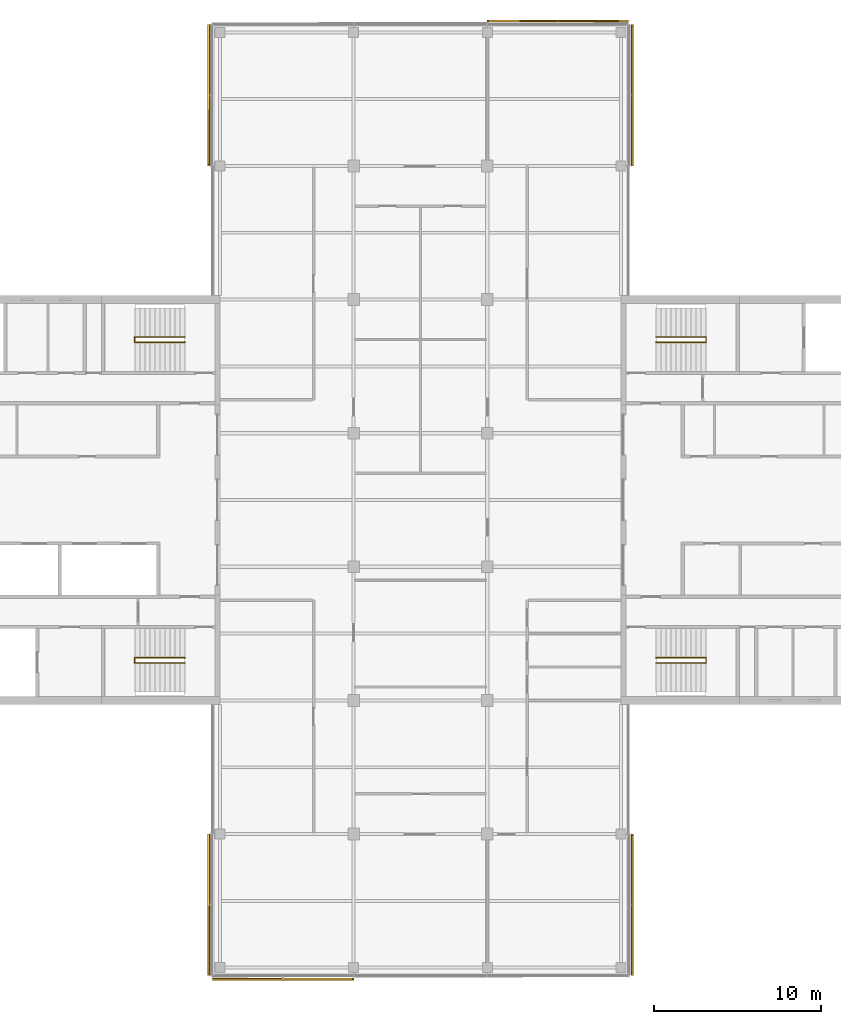
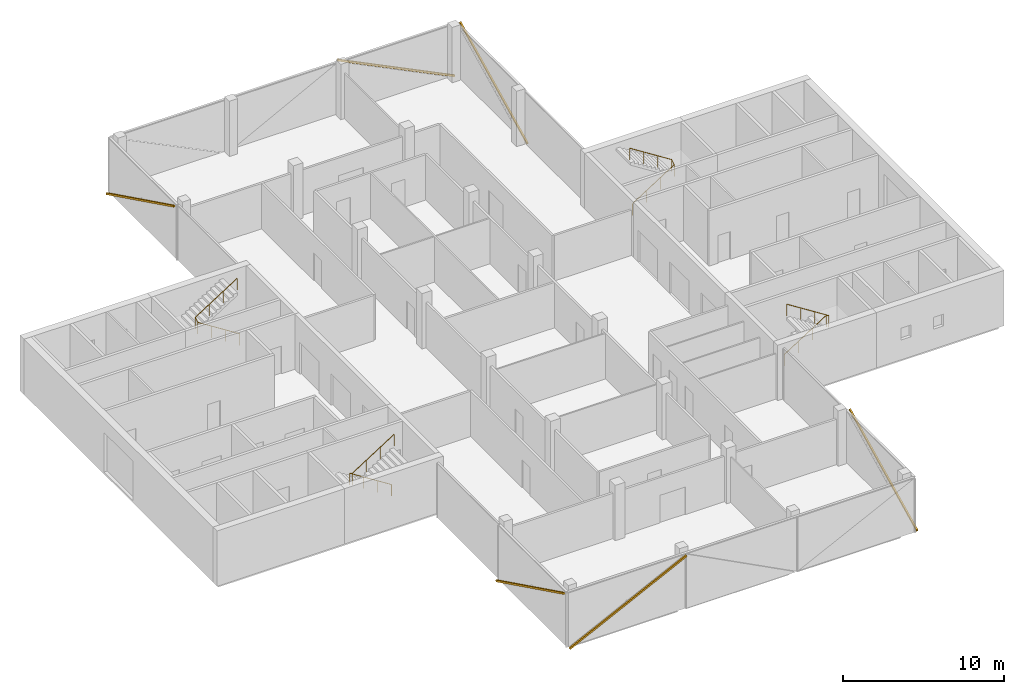
# One storey, part 15 of 15: 6 shading devices, 4 railings, 6 elements without a shape of their own.
"""IFC4 building model written with IfcOpenShell, lengths in metres."""

from ifc_helpers import new_model, si_unit, direction, frame, origin, origin_2d, place, context, subcontext, project, spatial, rectangle, circle, extrude, material, material_profile, profile_set, type_object, element, aggregate, save


model = new_model("IFC4")

# Units and contexts
model_context = context("Model", 3, precision=1e-05, world=origin(), true_north=direction((0.0, 1.0)))
body_context = subcontext(model_context, "Body", "Model", "MODEL_VIEW")
ifc_project = project(units=[si_unit("LENGTHUNIT", "METRE"), si_unit("AREAUNIT", "SQUARE_METRE"), si_unit("VOLUMEUNIT", "CUBIC_METRE"), si_unit("PLANEANGLEUNIT", "RADIAN"), si_unit("MASSUNIT", "GRAM", prefix="KILO")], contexts=[model_context])

# Site, building, storey
site_placement = place(None, origin())
site = spatial("IfcSite", under=ifc_project, at=site_placement, CompositionType="ELEMENT")
building_placement = place(site_placement, origin())
building = spatial("IfcBuilding", under=site, at=building_placement, Name="Crosswind Convention Tower", CompositionType="ELEMENT")
storey_placement = place(building_placement, frame((0.0, 0.0, 257.699951171875)))
storey = spatial("IfcBuildingStorey", under=building, at=storey_placement, Name="L55", CompositionType="ELEMENT", Elevation=257.699951171875)

# Railings
ifc_material_1 = material(Name="Stainless steel", Category="steel")
railing_type = type_object("IfcRailingType", Name="Stair handrail 900", PredefinedType="HANDRAIL", material=ifc_material_1)
railing_1_placement = place(storey_placement, frame((139.10009765625, 109.43994140625, 0.19091796875)))
element("IfcRailing", 1, at=railing_1_placement, inside=storey, type_object=railing_type, Name="Stair ST1 handrail L55", PredefinedType="HANDRAIL", context=body_context, shape_type="SweptSolid", body=[
    extrude(circle(Radius=0.02392578125, at=origin_2d()), frame((0.0, 0.0, 0.8759765625), z_axis=(0.843650179428, 0.0, 0.536893261973), x_axis=(0.0, 1.0, 0.0)), (0.0, 0.0, 1.0), 3.555908203125),
    extrude(circle(Radius=0.02392578125, at=origin_2d()), frame((3.0, 0.0, 2.78515625), z_axis=(0.0, 0.858819504967, 0.512278301208), x_axis=(-1.0, 0.0, 0.0)), (0.0, 0.0, 1.0), 0.372802734375),
    extrude(circle(Radius=0.02392578125, at=origin_2d()), frame((3.0, 0.320068359375, 2.97607421875), z_axis=(-0.843681277094, 0.0, 0.536844393359), x_axis=(0.0, -1.0, 0.0)), (0.0, 0.0, 1.0), 3.555908203125),
    extrude(circle(Radius=0.02099609375, at=origin_2d()), origin(), (0.0, 0.0, 1.0), 0.851806640625),
    extrude(circle(Radius=0.02099609375, at=origin_2d()), frame((1.0, 0.0, 0.636474609375)), (0.0, 0.0, 1.0), 0.851806640625),
    extrude(circle(Radius=0.02099609375, at=origin_2d()), frame((2.0, 0.0, 1.272705078125)), (0.0, 0.0, 1.0), 0.851806640625),
    extrude(circle(Radius=0.02099609375, at=origin_2d()), frame((3.0, 0.0, 1.9091796875)), (0.0, 0.0, 1.0), 0.851806640625),
    extrude(circle(Radius=0.02099609375, at=origin_2d()), frame((3.0, 0.320068359375, 2.10009765625)), (0.0, 0.0, 1.0), 0.851806640625),
    extrude(circle(Radius=0.02099609375, at=origin_2d()), frame((2.0, 0.320068359375, 2.736328125)), (0.0, 0.0, 1.0), 0.851806640625),
    extrude(circle(Radius=0.02099609375, at=origin_2d()), frame((1.0, 0.320068359375, 3.372802734375)), (0.0, 0.0, 1.0), 0.851806640625),
    extrude(circle(Radius=0.02099609375, at=origin_2d()), frame((0.0, 0.320068359375, 4.009033203125)), (0.0, 0.0, 1.0), 0.851806640625),
])
railing_2_placement = place(storey_placement, frame((139.10009765625, 90.56005859375, 0.19091796875)))
element("IfcRailing", 2, at=railing_2_placement, inside=storey, type_object=railing_type, Name="Stair ST2 handrail L55", PredefinedType="HANDRAIL", context=body_context, shape_type="SweptSolid", body=[
    extrude(circle(Radius=0.02392578125, at=origin_2d()), frame((0.0, 0.0, 0.8759765625), z_axis=(0.843650179428, 0.0, 0.536893261973), x_axis=(0.0, 1.0, 0.0)), (0.0, 0.0, 1.0), 3.555908203125),
    extrude(circle(Radius=0.02392578125, at=origin_2d()), frame((3.0, 0.0, 2.78515625), z_axis=(0.0, -0.858819504967, 0.512278301208), x_axis=(1.0, 0.0, 0.0)), (0.0, 0.0, 1.0), 0.372802734375),
    extrude(circle(Radius=0.02392578125, at=origin_2d()), frame((3.0, -0.320068359375, 2.97607421875), z_axis=(-0.843681277094, 0.0, 0.536844393359), x_axis=(0.0, -1.0, 0.0)), (0.0, 0.0, 1.0), 3.555908203125),
    extrude(circle(Radius=0.02099609375, at=origin_2d()), origin(), (0.0, 0.0, 1.0), 0.851806640625),
    extrude(circle(Radius=0.02099609375, at=origin_2d()), frame((1.0, 0.0, 0.636474609375)), (0.0, 0.0, 1.0), 0.851806640625),
    extrude(circle(Radius=0.02099609375, at=origin_2d()), frame((2.0, 0.0, 1.272705078125)), (0.0, 0.0, 1.0), 0.851806640625),
    extrude(circle(Radius=0.02099609375, at=origin_2d()), frame((3.0, 0.0, 1.9091796875)), (0.0, 0.0, 1.0), 0.851806640625),
    extrude(circle(Radius=0.02099609375, at=origin_2d()), frame((3.0, -0.320068359375, 2.10009765625)), (0.0, 0.0, 1.0), 0.851806640625),
    extrude(circle(Radius=0.02099609375, at=origin_2d()), frame((2.0, -0.320068359375, 2.736328125)), (0.0, 0.0, 1.0), 0.851806640625),
    extrude(circle(Radius=0.02099609375, at=origin_2d()), frame((1.0, -0.320068359375, 3.372802734375)), (0.0, 0.0, 1.0), 0.851806640625),
    extrude(circle(Radius=0.02099609375, at=origin_2d()), frame((0.0, -0.320068359375, 4.009033203125)), (0.0, 0.0, 1.0), 0.851806640625),
])
railing_3_placement = place(storey_placement, frame((110.89990234375, 90.56005859375, 0.19091796875)))
element("IfcRailing", 3, at=railing_3_placement, inside=storey, type_object=railing_type, Name="Stair ST3 handrail L55", PredefinedType="HANDRAIL", context=body_context, shape_type="SweptSolid", body=[
    extrude(circle(Radius=0.02392578125, at=origin_2d()), frame((0.0, 0.0, 0.8759765625), z_axis=(-0.843650179428, 0.0, 0.536893261973), x_axis=(0.0, -1.0, 0.0)), (0.0, 0.0, 1.0), 3.555908203125),
    extrude(circle(Radius=0.02392578125, at=origin_2d()), frame((-3.0, 0.0, 2.78515625), z_axis=(0.0, -0.858819504967, 0.512278301208), x_axis=(1.0, 0.0, 0.0)), (0.0, 0.0, 1.0), 0.372802734375),
    extrude(circle(Radius=0.02392578125, at=origin_2d()), frame((-3.0, -0.320068359375, 2.97607421875), z_axis=(0.843681277094, 0.0, 0.536844393359), x_axis=(0.0, 1.0, 0.0)), (0.0, 0.0, 1.0), 3.555908203125),
    extrude(circle(Radius=0.02099609375, at=origin_2d()), origin(), (0.0, 0.0, 1.0), 0.851806640625),
    extrude(circle(Radius=0.02099609375, at=origin_2d()), frame((-1.0, 0.0, 0.636474609375)), (0.0, 0.0, 1.0), 0.851806640625),
    extrude(circle(Radius=0.02099609375, at=origin_2d()), frame((-2.0, 0.0, 1.272705078125)), (0.0, 0.0, 1.0), 0.851806640625),
    extrude(circle(Radius=0.02099609375, at=origin_2d()), frame((-3.0, 0.0, 1.9091796875)), (0.0, 0.0, 1.0), 0.851806640625),
    extrude(circle(Radius=0.02099609375, at=origin_2d()), frame((-3.0, -0.320068359375, 2.10009765625)), (0.0, 0.0, 1.0), 0.851806640625),
    extrude(circle(Radius=0.02099609375, at=origin_2d()), frame((-2.0, -0.320068359375, 2.736328125)), (0.0, 0.0, 1.0), 0.851806640625),
    extrude(circle(Radius=0.02099609375, at=origin_2d()), frame((-1.0, -0.320068359375, 3.372802734375)), (0.0, 0.0, 1.0), 0.851806640625),
    extrude(circle(Radius=0.02099609375, at=origin_2d()), frame((0.0, -0.320068359375, 4.009033203125)), (0.0, 0.0, 1.0), 0.851806640625),
])
railing_4_placement = place(storey_placement, frame((110.89990234375, 109.43994140625, 0.19091796875)))
element("IfcRailing", 4, at=railing_4_placement, inside=storey, type_object=railing_type, Name="Stair ST4 handrail L55", PredefinedType="HANDRAIL", context=body_context, shape_type="SweptSolid", body=[
    extrude(circle(Radius=0.02392578125, at=origin_2d()), frame((0.0, 0.0, 0.8759765625), z_axis=(-0.843650179428, 0.0, 0.536893261973), x_axis=(0.0, -1.0, 0.0)), (0.0, 0.0, 1.0), 3.555908203125),
    extrude(circle(Radius=0.02392578125, at=origin_2d()), frame((-3.0, 0.0, 2.78515625), z_axis=(0.0, 0.858819504967, 0.512278301208), x_axis=(-1.0, 0.0, 0.0)), (0.0, 0.0, 1.0), 0.372802734375),
    extrude(circle(Radius=0.02392578125, at=origin_2d()), frame((-3.0, 0.320068359375, 2.97607421875), z_axis=(0.843681277094, 0.0, 0.536844393359), x_axis=(0.0, 1.0, 0.0)), (0.0, 0.0, 1.0), 3.555908203125),
    extrude(circle(Radius=0.02099609375, at=origin_2d()), origin(), (0.0, 0.0, 1.0), 0.851806640625),
    extrude(circle(Radius=0.02099609375, at=origin_2d()), frame((-1.0, 0.0, 0.636474609375)), (0.0, 0.0, 1.0), 0.851806640625),
    extrude(circle(Radius=0.02099609375, at=origin_2d()), frame((-2.0, 0.0, 1.272705078125)), (0.0, 0.0, 1.0), 0.851806640625),
    extrude(circle(Radius=0.02099609375, at=origin_2d()), frame((-3.0, 0.0, 1.9091796875)), (0.0, 0.0, 1.0), 0.851806640625),
    extrude(circle(Radius=0.02099609375, at=origin_2d()), frame((-3.0, 0.320068359375, 2.10009765625)), (0.0, 0.0, 1.0), 0.851806640625),
    extrude(circle(Radius=0.02099609375, at=origin_2d()), frame((-2.0, 0.320068359375, 2.736328125)), (0.0, 0.0, 1.0), 0.851806640625),
    extrude(circle(Radius=0.02099609375, at=origin_2d()), frame((-1.0, 0.320068359375, 3.372802734375)), (0.0, 0.0, 1.0), 0.851806640625),
    extrude(circle(Radius=0.02099609375, at=origin_2d()), frame((0.0, 0.320068359375, 4.009033203125)), (0.0, 0.0, 1.0), 0.851806640625),
])

# Curtain wall, shading device
ifc_material_2 = material(Name="Aluminium unitised curtain wall", Category="aluminium")
curtain_wall_type = type_object("IfcCurtainWallType", Name="OFFICE UNITISED WALL 220", PredefinedType="USERDEFINED", material=ifc_material_2)
curtain_wall_1_placement = place(storey_placement, origin())
curtain_wall_1 = element("IfcCurtainWall", 5, at=curtain_wall_1_placement, inside=storey, type_object=curtain_wall_type, Name="CW3 L55 N-E 1", ObjectType="UNITISED", PredefinedType="USERDEFINED")
ifc_material_3 = material(Name="Extruded terracotta", Category="masonry")
ifc_material_profile = material_profile(ifc_material_3, rectangle(XDim=0.110107421875, YDim=0.1298828125, at=origin_2d()), Name="TC 110X130")
ifc_profile_set = profile_set([ifc_material_profile], Name="Extruded terracotta")
shading_device_type = type_object("IfcShadingDeviceType", Name="TERRACOTTA BAGUETTE 130X110", PredefinedType="USERDEFINED", material=ifc_profile_set)
shading_device_1_placement = place(storey_placement, frame((137.680908203125, 120.034912109375, -0.300048828125), z_axis=(0.0, 0.897187705251, 0.441649432862), x_axis=(-1.0, 0.0, 0.0)))
shading_device_1 = element("IfcShadingDevice", 6, at=shading_device_1_placement, type_object=shading_device_type, Name="CW3 terracotta baguette 1", ObjectType="BAGUETTE", PredefinedType="USERDEFINED", context=body_context, shape_type="SweptSolid", body=[
    extrude(rectangle(XDim=0.110107421875, YDim=0.1298828125, at=origin_2d()), origin(), (0.0, 0.0, 1.0), 9.3515625),
])
aggregate(curtain_wall_1, [shading_device_1])

curtain_wall_2_placement = place(storey_placement, origin())
curtain_wall_2 = element("IfcCurtainWall", 7, at=curtain_wall_2_placement, inside=storey, type_object=curtain_wall_type, Name="CW3 L55 N-TIP 1", ObjectType="UNITISED", PredefinedType="USERDEFINED")
shading_device_2_placement = place(storey_placement, frame((137.425048828125, 128.680908203125, -0.300048828125), z_axis=(-0.897187705251, 0.0, 0.441649432862), x_axis=(0.0, -1.0, 0.0)))
shading_device_2 = element("IfcShadingDevice", 8, at=shading_device_2_placement, type_object=shading_device_type, Name="CW3 terracotta baguette 1", ObjectType="BAGUETTE", PredefinedType="USERDEFINED", context=body_context, shape_type="SweptSolid", body=[
    extrude(rectangle(XDim=0.110107421875, YDim=0.1298828125, at=origin_2d()), origin(), (0.0, 0.0, 1.0), 9.3515625),
])
aggregate(curtain_wall_2, [shading_device_2])

curtain_wall_3_placement = place(storey_placement, origin())
curtain_wall_3 = element("IfcCurtainWall", 9, at=curtain_wall_3_placement, inside=storey, type_object=curtain_wall_type, Name="CW3 L55 N-W 1", ObjectType="UNITISED", PredefinedType="USERDEFINED")
shading_device_3_placement = place(storey_placement, frame((112.319091796875, 128.425048828125, -0.300048828125), z_axis=(0.0, -0.897187705251, 0.441649432862), x_axis=(1.0, 0.0, 0.0)))
shading_device_3 = element("IfcShadingDevice", 10, at=shading_device_3_placement, type_object=shading_device_type, Name="CW3 terracotta baguette 1", ObjectType="BAGUETTE", PredefinedType="USERDEFINED", context=body_context, shape_type="SweptSolid", body=[
    extrude(rectangle(XDim=0.110107421875, YDim=0.1298828125, at=origin_2d()), origin(), (0.0, 0.0, 1.0), 9.3515625),
])
aggregate(curtain_wall_3, [shading_device_3])

curtain_wall_4_placement = place(storey_placement, origin())
curtain_wall_4 = element("IfcCurtainWall", 11, at=curtain_wall_4_placement, inside=storey, type_object=curtain_wall_type, Name="CW3 L55 S-W 1", ObjectType="UNITISED", PredefinedType="USERDEFINED")
shading_device_4_placement = place(storey_placement, frame((112.319091796875, 79.965087890625, -0.300048828125), z_axis=(0.0, -0.897187705251, 0.441649432862), x_axis=(1.0, 0.0, 0.0)))
shading_device_4 = element("IfcShadingDevice", 12, at=shading_device_4_placement, type_object=shading_device_type, Name="CW3 terracotta baguette 1", ObjectType="BAGUETTE", PredefinedType="USERDEFINED", context=body_context, shape_type="SweptSolid", body=[
    extrude(rectangle(XDim=0.110107421875, YDim=0.1298828125, at=origin_2d()), origin(), (0.0, 0.0, 1.0), 9.3515625),
])
aggregate(curtain_wall_4, [shading_device_4])

curtain_wall_5_placement = place(storey_placement, origin())
curtain_wall_5 = element("IfcCurtainWall", 13, at=curtain_wall_5_placement, inside=storey, type_object=curtain_wall_type, Name="CW3 L55 S-TIP 1", ObjectType="UNITISED", PredefinedType="USERDEFINED")
shading_device_5_placement = place(storey_placement, frame((112.574951171875, 71.319091796875, -0.300048828125), z_axis=(0.897187705251, 0.0, 0.441649432862), x_axis=(0.0, 1.0, 0.0)))
shading_device_5 = element("IfcShadingDevice", 14, at=shading_device_5_placement, type_object=shading_device_type, Name="CW3 terracotta baguette 1", ObjectType="BAGUETTE", PredefinedType="USERDEFINED", context=body_context, shape_type="SweptSolid", body=[
    extrude(rectangle(XDim=0.110107421875, YDim=0.1298828125, at=origin_2d()), origin(), (0.0, 0.0, 1.0), 9.3515625),
])
aggregate(curtain_wall_5, [shading_device_5])

curtain_wall_6_placement = place(storey_placement, origin())
curtain_wall_6 = element("IfcCurtainWall", 15, at=curtain_wall_6_placement, inside=storey, type_object=curtain_wall_type, Name="CW3 L55 S-E 1", ObjectType="UNITISED", PredefinedType="USERDEFINED")
shading_device_6_placement = place(storey_placement, frame((137.680908203125, 71.574951171875, -0.300048828125), z_axis=(0.0, 0.897187705251, 0.441649432862), x_axis=(-1.0, 0.0, 0.0)))
shading_device_6 = element("IfcShadingDevice", 16, at=shading_device_6_placement, type_object=shading_device_type, Name="CW3 terracotta baguette 1", ObjectType="BAGUETTE", PredefinedType="USERDEFINED", context=body_context, shape_type="SweptSolid", body=[
    extrude(rectangle(XDim=0.110107421875, YDim=0.1298828125, at=origin_2d()), origin(), (0.0, 0.0, 1.0), 9.3515625),
])
aggregate(curtain_wall_6, [shading_device_6])

save(model, "model.ifc")
